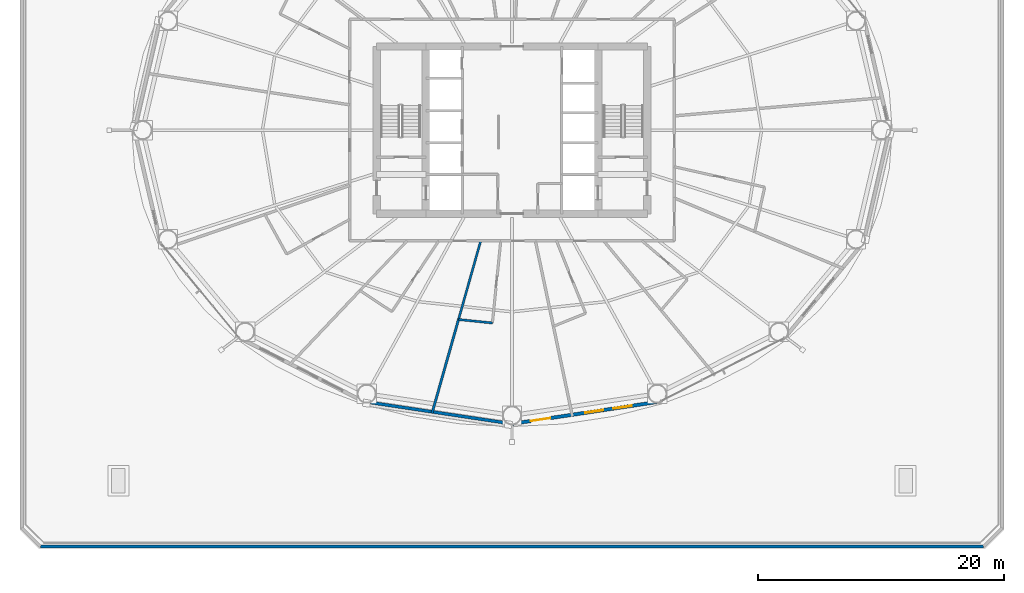
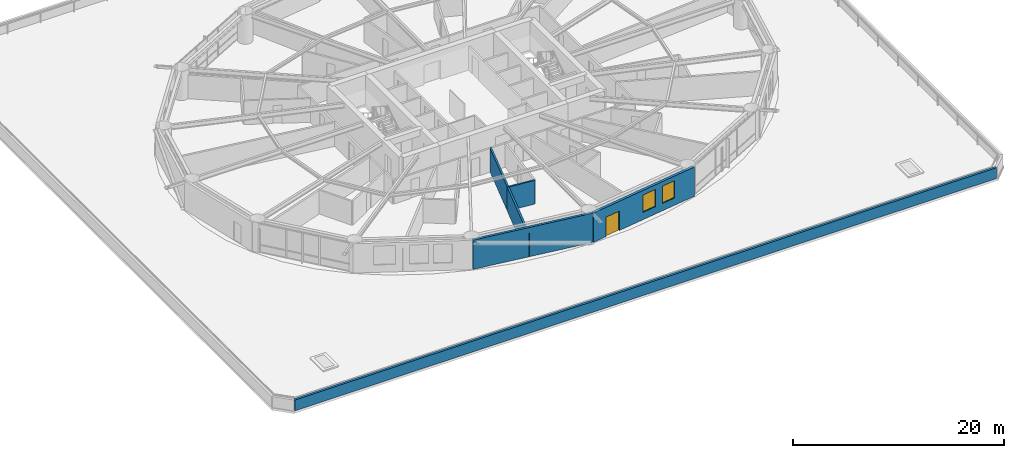
# One storey, part 22 of 30: 6 walls, 2 windows, 1 door, 3 openings.
"""IFC4 building model written with IfcOpenShell, lengths in metres."""

import ifcopenshell
import ifcopenshell.guid

model = None  # the IFC model being written
_history = None  # IfcOwnerHistory: only IFC2X3 demands one
_inside = {}  # id of a spatial element -> (the spatial element, [elements in it])
_under = {}  # id of a project, library or spatial element -> (it, [spatial elements below it])
_declared = {}  # id of a project -> (the project, [libraries it declares])
_typed = {}  # id of a type object -> (the type object, [elements of that type])
_made_of = {}  # id of a material, layer set ... -> (it, [elements and type objects made of it])


def new_model(schema):
    """Start an empty IFC model of exactly this schema.

    Asked for "IFC4X3", IfcOpenShell would pick the latest addendum, in which some entities
    have other attributes; the version numbers below select the first issue.
    IFC2X3 requires an IfcOwnerHistory on every rooted entity: one is made here for all.
    """
    global model, _history
    if schema == "IFC4X3":
        model = ifcopenshell.file(schema_version=(4, 3, 0, 0))
    else:
        model = ifcopenshell.file(schema=schema)
    _inside.clear()
    _under.clear()
    _declared.clear()
    _typed.clear()
    _made_of.clear()
    _history = None
    if model.schema == "IFC2X3":
        org = make("IfcOrganization", Name="unknown")
        user = make(
            "IfcPersonAndOrganization",
            ThePerson=make("IfcPerson", FamilyName="unknown"),
            TheOrganization=org,
        )
        app = make(
            "IfcApplication",
            ApplicationDeveloper=org,
            Version="unknown",
            ApplicationFullName="unknown",
            ApplicationIdentifier="unknown",
        )
        _history = make(
            "IfcOwnerHistory",
            OwningUser=user,
            OwningApplication=app,
            ChangeAction="ADDED",
            CreationDate=0,
        )
    return model


def make(cls, **values):
    """One entity of the class cls with the attributes given. An attribute that is None is left unset."""
    return model.create_entity(
        cls, **{name: value for name, value in values.items() if value is not None}
    )


def rooted(cls, **values):
    """An entity with a GlobalId (a new one), such as an element, a storey or a relation."""
    return make(cls, GlobalId=ifcopenshell.guid.new(), OwnerHistory=_history, **values)


def si_unit(unit_type, name, prefix=None):
    """IfcSIUnit, for example si_unit("LENGTHUNIT", "METRE", prefix="MILLI")."""
    return make("IfcSIUnit", UnitType=unit_type, Prefix=prefix, Name=name)


def assignment(units):
    """IfcUnitAssignment: the units of a project."""
    return None if units is None else make("IfcUnitAssignment", Units=units)


def point(xyz):
    """IfcCartesianPoint."""
    return None if xyz is None else make("IfcCartesianPoint", Coordinates=xyz)


def direction(xyz):
    """IfcDirection."""
    return None if xyz is None else make("IfcDirection", DirectionRatios=xyz)


def frame(location, z_axis=None, x_axis=None):
    """IfcAxis2Placement3D, a coordinate frame: its origin and axes. An axis left out is left unset."""
    return make(
        "IfcAxis2Placement3D",
        Location=point(location),
        Axis=direction(z_axis),
        RefDirection=direction(x_axis),
    )


def frame_2d(location, x_axis=None):
    """IfcAxis2Placement2D, a coordinate frame in the plane: its origin and x axis."""
    return make(
        "IfcAxis2Placement2D", Location=point(location), RefDirection=direction(x_axis)
    )


def origin():
    """The frame at (0, 0, 0) with its axes left unset."""
    return frame((0.0, 0.0, 0.0))


def place(relative_to, where):
    """IfcLocalPlacement: puts the frame where relative to a parent placement (None: the world)."""
    return make(
        "IfcLocalPlacement", PlacementRelTo=relative_to, RelativePlacement=where
    )


def context(
    kind, dimensions, precision=None, world=None, true_north=None, identifier=None
):
    """IfcGeometricRepresentationContext, for example the 3D "Model" context."""
    return make(
        "IfcGeometricRepresentationContext",
        ContextIdentifier=identifier,
        ContextType=kind,
        CoordinateSpaceDimension=dimensions,
        Precision=precision,
        WorldCoordinateSystem=world,
        TrueNorth=true_north,
    )


def subcontext(parent, identifier, kind, view, scale=None):
    """IfcGeometricRepresentationSubContext, for example "Body" below "Model"."""
    return make(
        "IfcGeometricRepresentationSubContext",
        ContextIdentifier=identifier,
        ContextType=kind,
        ParentContext=parent,
        TargetScale=scale,
        TargetView=view,
    )


def project(units=None, contexts=None):
    """IfcProject with its units and contexts."""
    return rooted(
        "IfcProject",
        Name="project",
        RepresentationContexts=contexts,
        UnitsInContext=assignment(units),
    )


def spatial(cls, under=None, at=None, **own):
    """A site, building, storey or space (cls), placed at a placement, below another one or the project."""
    s = rooted(cls, ObjectPlacement=at, **own)
    if under is not None:
        _under.setdefault(under.id(), (under, []))[1].append(s)
    return s


def profile(cls, at=None, kind="AREA", **sizes):
    """A parametric profile (cls). Its sizes go by their IFC names, for example OverallWidth=200.0."""
    return make(cls, ProfileType=kind, Position=at, **sizes)


def rectangle(**sizes):
    """IfcRectangleProfileDef."""
    return profile("IfcRectangleProfileDef", **sizes)


def extrude(swept, where, along, depth):
    """IfcExtrudedAreaSolid: the profile swept, set in the frame where, extruded along a direction by depth."""
    return make(
        "IfcExtrudedAreaSolid",
        SweptArea=swept,
        Position=where,
        ExtrudedDirection=direction(along),
        Depth=depth,
    )


def shape(context_of_items, identifier, shape_type, items):
    """IfcShapeRepresentation: the items that make up one representation, for example the "Body"."""
    return make(
        "IfcShapeRepresentation",
        ContextOfItems=context_of_items,
        RepresentationIdentifier=identifier,
        RepresentationType=shape_type,
        Items=items,
    )


def material(Name=None, Category=None):
    """IfcMaterial."""
    return make("IfcMaterial", Name=Name, Category=Category)


def layer(
    of_material, thickness, ventilated=None, Name=None, Category=None, Priority=None
):
    """IfcMaterialLayer: one layer of a wall or slab, of a material (None: an air gap)."""
    return make(
        "IfcMaterialLayer",
        Material=of_material,
        LayerThickness=thickness,
        IsVentilated=ventilated,
        Name=Name,
        Category=Category,
        Priority=Priority,
    )


def layer_set(layers, Name=None):
    """IfcMaterialLayerSet."""
    return make("IfcMaterialLayerSet", MaterialLayers=layers, LayerSetName=Name)


def made_of(thing, what):
    """Note that an element or type object is made of a material, layer set ...; save() writes the relation."""
    if what is not None:
        _made_of.setdefault(what.id(), (what, []))[1].append(thing)
    return thing


def type_object(cls, material=None, **own):
    """A type object (cls), such as IfcWallType, which elements share."""
    return made_of(rooted(cls, **own), material)


def element(
    cls,
    number,
    at=None,
    inside=None,
    cuts=None,
    type_object=None,
    material=None,
    context=None,
    identifier="Body",
    shape_type=None,
    held_by="IfcProductDefinitionShape",
    body=None,
    shapes=None,
    **own,
):
    """One element of the class cls, such as IfcWall. Its Tag is "e" and its number.

    at: its placement. inside: the storey or other place that contains it. cuts: it is an
    opening in that element (IfcRelVoidsElement). A single representation is given by context,
    identifier, shape_type and body (its items); several are given by shapes. held_by: the class
    of the entity that holds the representations. save() writes the other relations.
    """
    e = rooted(cls, Tag="e%d" % number, ObjectPlacement=at, **own)
    if body is not None:
        shapes = [shape(context, identifier, shape_type, body)]
    if shapes is not None:
        e.Representation = make(held_by, Representations=shapes)
    if inside is not None:
        _inside.setdefault(inside.id(), (inside, []))[1].append(e)
    if cuts is not None:
        rooted(
            "IfcRelVoidsElement", RelatingBuildingElement=cuts, RelatedOpeningElement=e
        )
    if type_object is not None:
        _typed.setdefault(type_object.id(), (type_object, []))[1].append(e)
    return made_of(e, material)


def fill(opening, filler):
    """IfcRelFillsElement: the door or window that sits in an opening."""
    return rooted(
        "IfcRelFillsElement",
        RelatingOpeningElement=opening,
        RelatedBuildingElement=filler,
    )


def aggregate(whole, parts):
    """IfcRelAggregates: a whole, such as a stair, and the parts it consists of."""
    return rooted("IfcRelAggregates", RelatingObject=whole, RelatedObjects=parts)


def save(model, path):
    """Write the relations noted so far, then the file.

    IfcRelAggregates (storeys below a building ...), IfcRelContainedInSpatialStructure (elements
    in a storey), IfcRelDefinesByType, IfcRelAssociatesMaterial and IfcRelDeclares: one each for
    every whole, place, type object, material and project.
    """
    for whole, parts in _under.values():
        aggregate(whole, parts)
    for where, things in _inside.values():
        rooted(
            "IfcRelContainedInSpatialStructure",
            RelatedElements=things,
            RelatingStructure=where,
        )
    for kind, things in _typed.values():
        rooted("IfcRelDefinesByType", RelatedObjects=things, RelatingType=kind)
    for what, things in _made_of.values():
        rooted("IfcRelAssociatesMaterial", RelatedObjects=things, RelatingMaterial=what)
    for by, libraries in _declared.values():
        rooted("IfcRelDeclares", RelatingContext=by, RelatedDefinitions=libraries)
    model.write(path)


model = new_model("IFC4")

# Units and contexts
model_context = context("Model", 3, precision=1e-05, world=origin(), true_north=direction((0.0, 1.0)))
body_context = subcontext(model_context, "Body", "Model", "MODEL_VIEW")
ifc_project = project(units=[si_unit("LENGTHUNIT", "METRE"), si_unit("AREAUNIT", "SQUARE_METRE"), si_unit("VOLUMEUNIT", "CUBIC_METRE"), si_unit("PLANEANGLEUNIT", "RADIAN"), si_unit("MASSUNIT", "GRAM", prefix="KILO")], contexts=[model_context])

# Site, building, storey
site_placement = place(None, origin())
site = spatial("IfcSite", under=ifc_project, at=site_placement, CompositionType="ELEMENT")
building_placement = place(site_placement, origin())
building = spatial("IfcBuilding", under=site, at=building_placement, Name="Sarneth Arch Tower", CompositionType="ELEMENT")
storey_placement = place(building_placement, frame((0.0, 0.0, 28.199951171875)))
storey = spatial("IfcBuildingStorey", under=building, at=storey_placement, Name="L05", CompositionType="ELEMENT", Elevation=28.199951171875)

# Wall
ifc_material_1 = material(Name="Extruded terracotta rainscreen on Concrete C40/50 backing", Category="masonry")
ifc_layer_1 = layer(ifc_material_1, 0.25)
ifc_layer_set_1 = layer_set([ifc_layer_1], Name="Extruded terracotta rainscreen on Concrete C40/50 backing")
wall_type_1 = type_object("IfcWallType", Name="WALL-EXT-SPAND-250", PredefinedType="SOLIDWALL", material=ifc_layer_set_1)
wall_1_placement = place(storey_placement, frame((35.922119140625, 19.937744140625, 0.0), z_axis=(0.0, 0.0, 1.0), x_axis=(0.988864835849, -0.148816452121, 0.0)))
element("IfcWall", 1, at=wall_1_placement, inside=storey, type_object=wall_type_1, Name="L05 Terracotta perimeter wall 12", PredefinedType="SOLIDWALL", context=body_context, shape_type="SweptSolid", body=[
    extrude(rectangle(XDim=12.2138671875, YDim=0.25, at=frame_2d((6.10693359375, 0.0))), origin(), (0.0, 0.0, 1.0), 3.380126953125),
])

# Wall, openings, door, windows
ifc_material_2 = material(Name="Extruded terracotta rainscreen on Concrete C40/50 backing", Category="masonry")
ifc_layer_2 = layer(ifc_material_2, 0.280029296875)
ifc_layer_set_2 = layer_set([ifc_layer_2], Name="Extruded terracotta rainscreen on Concrete C40/50 backing")
wall_type_2 = type_object("IfcWallType", Name="WALL-EXT-TERRA-280", PredefinedType="SOLIDWALL", material=ifc_layer_set_2)
wall_2_placement = place(storey_placement, frame((48.0, 18.1201171875, 0.0), z_axis=(0.0, 0.0, 1.0), x_axis=(0.988864835849, 0.148816452121, 0.0)))
wall_2 = element("IfcWall", 2, at=wall_2_placement, inside=storey, type_object=wall_type_2, Name="L05 Terracotta perimeter wall 13", PredefinedType="SOLIDWALL", context=body_context, shape_type="SweptSolid", body=[
    extrude(rectangle(XDim=12.2138671875, YDim=0.280029296875, at=frame_2d((6.10693359375, 0.0))), origin(), (0.0, 0.0, 1.0), 3.380126953125),
])
opening_1_placement = place(wall_2_placement, frame((1.53125, 0.0, 0.0)))
opening_1 = element("IfcOpeningElement", 3, at=opening_1_placement, cuts=wall_2, Name="Opening BD-1", PredefinedType="OPENING", context=body_context, shape_type="SweptSolid", body=[
    extrude(rectangle(XDim=1.60009765625, YDim=2.25, at=frame_2d((0.800048828125, 1.125))), frame((0.0, 0.14990234375, 0.0), z_axis=(0.0, -1.0, 0.0), x_axis=(1.0, 0.0, 0.0)), (0.0, 0.0, 1.0), 0.300048828125),
])
opening_2_placement = place(wall_2_placement, frame((6.01611328125, 0.0, 0.85009765625)))
opening_2 = element("IfcOpeningElement", 4, at=opening_2_placement, cuts=wall_2, Name="Opening W-06", PredefinedType="OPENING", context=body_context, shape_type="SweptSolid", body=[
    extrude(rectangle(XDim=1.5, YDim=2.0, at=frame_2d((0.75, 1.0))), frame((0.0, 0.14990234375, 0.0), z_axis=(0.0, -1.0, 0.0), x_axis=(1.0, 0.0, 0.0)), (0.0, 0.0, 1.0), 0.300048828125),
])
opening_3_placement = place(wall_2_placement, frame((8.333251953125, 0.0, 0.85009765625)))
opening_3 = element("IfcOpeningElement", 5, at=opening_3_placement, cuts=wall_2, Name="Opening W-06", PredefinedType="OPENING", context=body_context, shape_type="SweptSolid", body=[
    extrude(rectangle(XDim=1.5, YDim=2.0, at=frame_2d((0.75, 1.0))), frame((0.0, 0.14990234375, 0.0), z_axis=(0.0, -1.0, 0.0), x_axis=(1.0, 0.0, 0.0)), (0.0, 0.0, 1.0), 0.300048828125),
])
ifc_material_3 = material(Name="Thermally broken Aluminium 6063-T6 and laminated safety glass", Category="aluminium")
door_type = type_object("IfcDoorType", Name="DR-BALC-GLZ-1600", OperationType="DOUBLE_DOOR_SINGLE_SWING", PredefinedType="DOOR", material=ifc_material_3)
door_placement = place(opening_1_placement, origin())
door = element("IfcDoor", 6, at=door_placement, inside=storey, type_object=door_type, Name="L05 Maintenance roof access door 13", OperationType="DOUBLE_DOOR_SINGLE_SWING", OverallHeight=2.25, OverallWidth=1.60009765625, PredefinedType="DOOR", context=body_context, shape_type="SweptSolid", body=[
    extrude(rectangle(XDim=1.60009765625, YDim=2.25, at=frame_2d((0.800048828125, 1.125))), frame((0.0, 0.02490234375, 0.0), z_axis=(0.0, -1.0, 0.0), x_axis=(1.0, 0.0, 0.0)), (0.0, 0.0, 1.0), 0.050048828125),
])
fill(opening_1, door)
ifc_material_4 = material(Name="Thermally broken Aluminium 6063-T6 and low-e laminated IGU", Category="aluminium")
window_type = type_object("IfcWindowType", Name="WIN-TWR-1500x2000", PartitioningType="SINGLE_PANEL", PredefinedType="WINDOW", material=ifc_material_4)
window_1_placement = place(opening_2_placement, origin())
window_1 = element("IfcWindow", 7, at=window_1_placement, inside=storey, type_object=window_type, Name="L05 Exterior window 13A", OverallHeight=2.0, OverallWidth=1.5, PartitioningType="SINGLE_PANEL", PredefinedType="WINDOW", context=body_context, shape_type="SweptSolid", body=[
    extrude(rectangle(XDim=1.5, YDim=2.0, at=frame_2d((0.75, 1.0))), frame((0.0, 0.030029296875, 0.0), z_axis=(0.0, -1.0, 0.0), x_axis=(1.0, 0.0, 0.0)), (0.0, 0.0, 1.0), 0.06005859375),
])
fill(opening_2, window_1)
window_2_placement = place(opening_3_placement, origin())
window_2 = element("IfcWindow", 8, at=window_2_placement, inside=storey, type_object=window_type, Name="L05 Exterior window 13B", OverallHeight=2.0, OverallWidth=1.5, PartitioningType="SINGLE_PANEL", PredefinedType="WINDOW", context=body_context, shape_type="SweptSolid", body=[
    extrude(rectangle(XDim=1.5, YDim=2.0, at=frame_2d((0.75, 1.0))), frame((0.0, 0.030029296875, 0.0), z_axis=(0.0, -1.0, 0.0), x_axis=(1.0, 0.0, 0.0)), (0.0, 0.0, 1.0), 0.06005859375),
])
fill(opening_3, window_2)

# Walls
ifc_material_5 = material(Name="Extruded terracotta rainscreen on Concrete C40/50 backing", Category="masonry")
ifc_layer_3 = layer(ifc_material_5, 0.239990234375)
ifc_layer_set_3 = layer_set([ifc_layer_3], Name="Extruded terracotta rainscreen on Concrete C40/50 backing")
wall_type_3 = type_object("IfcWallType", Name="WALL-PARAPET-240", PredefinedType="PARAPET", material=ifc_layer_set_3)
wall_3_placement = place(storey_placement, frame((9.64990234375, 8.14990234375, 0.0), z_axis=(0.0, 0.0, 1.0), x_axis=(1.0, 0.0, 0.0)))
element("IfcWall", 9, at=wall_3_placement, inside=storey, type_object=wall_type_3, Name="L05 Podium roof parapet 1", PredefinedType="PARAPET", context=body_context, shape_type="SweptSolid", body=[
    extrude(rectangle(XDim=76.7001953125, YDim=0.239990234375, at=frame_2d((38.35009765625, 0.0))), origin(), (0.0, 0.0, 1.0), 1.25),
])
ifc_material_6 = material(Name="Moisture-resistant plumbing chase wall", Category="gypsum")
ifc_layer_4 = layer(ifc_material_6, 0.179931640625)
ifc_layer_set_4 = layer_set([ifc_layer_4], Name="Moisture-resistant plumbing chase wall")
wall_type_4 = type_object("IfcWallType", Name="WALL-PLUMB-180", PredefinedType="PLUMBINGWALL", material=ifc_layer_set_4)
wall_4_placement = place(storey_placement, frame((43.6513671875, 26.6005859375, 0.0), z_axis=(0.0, 0.0, 1.0), x_axis=(0.271761873698, 0.962364527611, 0.0)))
element("IfcWall", 10, at=wall_4_placement, inside=storey, type_object=wall_type_4, Name="L05 Interior partition W-L05-TP-060", PredefinedType="PLUMBINGWALL", context=body_context, shape_type="SweptSolid", body=[
    extrude(rectangle(XDim=6.649658203125, YDim=0.179931640625, at=frame_2d((3.32470703125, 0.0))), origin(), (0.0, 0.0, 1.0), 2.739990234375),
])
wall_5_placement = place(storey_placement, frame((46.407470703125, 26.320556640625, 0.0), z_axis=(0.0, 0.0, 1.0), x_axis=(-0.994878004338, 0.101082918857, 0.0)))
element("IfcWall", 11, at=wall_5_placement, inside=storey, type_object=wall_type_4, Name="L05 Interior partition W-L05-TP-062", PredefinedType="PLUMBINGWALL", context=body_context, shape_type="SweptSolid", body=[
    extrude(rectangle(XDim=2.770263671875, YDim=0.179931640625, at=frame_2d((1.38525390625, 0.0))), origin(), (0.0, 0.0, 1.0), 2.739990234375),
])
ifc_material_7 = material(Name="Double steel-stud acoustic drywall", Category="steel")
ifc_layer_5 = layer(ifc_material_7, 0.199951171875)
ifc_layer_set_5 = layer_set([ifc_layer_5], Name="Double steel-stud acoustic drywall")
wall_type_5 = type_object("IfcWallType", Name="WALL-UNIT-200", PredefinedType="PARTITIONING", material=ifc_layer_set_5)
wall_6_placement = place(storey_placement, frame((41.498779296875, 18.97802734375, 0.0), z_axis=(0.0, 0.0, 1.0), x_axis=(0.271768364569, 0.962362694632, 0.0)))
element("IfcWall", 12, at=wall_6_placement, inside=storey, type_object=wall_type_5, Name="L05 Interior partition W-L05-TP-059", PredefinedType="PARTITIONING", context=body_context, shape_type="SweptSolid", body=[
    extrude(rectangle(XDim=7.920654296875, YDim=0.199951171875, at=frame_2d((3.96044921875, 0.0))), origin(), (0.0, 0.0, 1.0), 2.739990234375),
])

save(model, "model.ifc")
